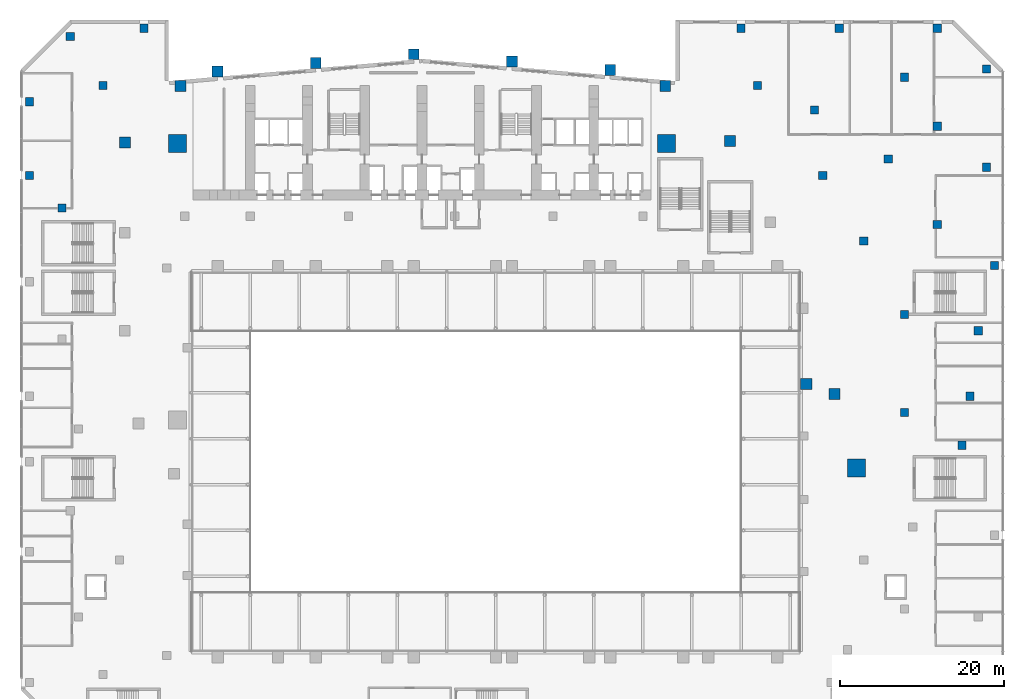
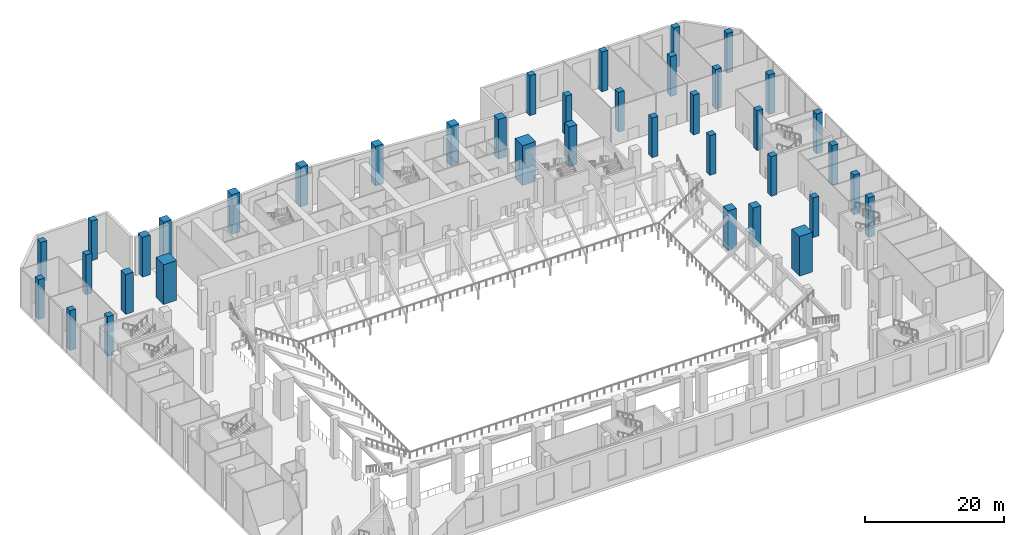
# One storey, part 8 of 41: 39 columns.
"""IFC4 building model written with IfcOpenShell, lengths in metres."""

from ifc_helpers import new_model, si_unit, direction, frame, origin, origin_2d, place, context, subcontext, project, spatial, rectangle, extrude, material, material_profile, profile_set, type_object, element, save


model = new_model("IFC4")

# Units and contexts
model_context = context("Model", 3, precision=1e-05, world=origin(), true_north=direction((0.0, 1.0)))
body_context = subcontext(model_context, "Body", "Model", "MODEL_VIEW")
ifc_project = project(units=[si_unit("LENGTHUNIT", "METRE"), si_unit("AREAUNIT", "SQUARE_METRE"), si_unit("VOLUMEUNIT", "CUBIC_METRE"), si_unit("PLANEANGLEUNIT", "RADIAN"), si_unit("MASSUNIT", "GRAM", prefix="KILO")], contexts=[model_context])

# Site, building, storey
site_placement = place(None, origin())
site = spatial("IfcSite", under=ifc_project, at=site_placement, CompositionType="ELEMENT")
building_placement = place(site_placement, origin())
building = spatial("IfcBuilding", under=site, at=building_placement, Name="Wharfspan Tower", CompositionType="ELEMENT")
storey_placement = place(building_placement, frame((0.0, 0.0, 8.0)))
storey = spatial("IfcBuildingStorey", under=building, at=storey_placement, Name="L01", CompositionType="ELEMENT", Elevation=8.0)

# Columns
ifc_material = material(Name="Concrete C60/75", Category="concrete")
ifc_material_profile_1 = material_profile(ifc_material, rectangle(XDim=1.0, YDim=1.0, at=origin_2d()))
ifc_profile_set_1 = profile_set([ifc_material_profile_1], Name="Concrete C60/75")
column_type_1 = type_object("IfcColumnType", Name="Concrete column 1000 square", PredefinedType="COLUMN", material=ifc_profile_set_1)
for number, where, z_axis, x_axis, name in (
    (1, (106.0, 50.0, 0.0), (0.0, 0.0, 1.0), (1.0, 0.0, 0.0), "Column D.1"),
    (2, (107.0, 26.0, 0.0), (0.0, 0.0, 1.0), (1.0, 0.0, 0.0), "Column D.3"),
    (3, (88.0, 55.0, 0.0), (0.0, 0.0, 1.0), (1.0, 0.0, 0.0), "Column D.6"),
    (4, (94.0, 39.0, 0.0), (0.0, 0.0, 1.0), (1.0, 0.0, 0.0), "Column D.8"),
    (5, (104.0, 10.0, 0.0), (0.0, 0.0, 1.0), (1.0, 0.0, 0.0), "Column D.9"),
    (6, (-6.0, 54.0, 0.0), (0.0, 0.0, 1.0), (1.0, 0.0, 0.0), "Column D.10"),
    (7, (96.0, 20.0, 0.0), (0.0, 0.0, 1.0), (1.0, 0.0, 0.0), "Column D.15"),
    (8, (-11.0, 37.0, 0.0), (0.0, 0.0, 1.0), (1.0, 0.0, 0.0), "Column D.16"),
    (9, (106.0, 38.0, 0.0), (0.0, 0.0, 1.0), (1.0, 0.0, 0.0), "Column D.17"),
    (10, (76.0, 55.0, 0.0), (0.0, 0.0, 1.0), (1.0, 0.0, 0.0), "Column D.18"),
    (11, (85.0, 45.0, 0.0), (0.0, 0.0, 1.0), (1.0, 0.0, 0.0), "Column D.22"),
    (12, (91.0, 29.0, 0.0), (0.0, 0.0, 1.0), (1.0, 0.0, 0.0), "Column D.25"),
    (13, (96.0, 49.0, 0.0), (0.0, 0.0, 1.0), (1.0, 0.0, 0.0), "Column D.27"),
    (14, (-11.0, 46.0, 0.0), (0.0, 0.0, 1.0), (1.0, 0.0, 0.0), "Column D.35"),
    (15, (103.0, 4.0, 0.0), (0.0, 0.0, 1.0), (1.0, 0.0, 0.0), "Column D.36"),
    (16, (100.0, 31.0, 0.0), (0.0, 0.0, 1.0), (1.0, 0.0, 0.0), "Column D.38"),
    (17, (3.0, 55.0, 0.0), (0.0, 0.0, 1.0), (1.0, 0.0, 0.0), "Column D.41"),
    (18, (86.0, 37.0, 0.0), (0.0, 0.0, 1.0), (1.0, 0.0, 0.0), "Column D.44"),
    (19, (96.0, 8.0, 0.0), (0.0, 0.0, 1.0), (1.0, 0.0, 0.0), "Column D.45"),
    (20, (105.0, 18.0, 0.0), (0.0, 0.0, 1.0), (1.0, 0.0, 0.0), "Column D.46"),
    (21, (78.0, 48.0, 0.0), (0.0, 0.0, 1.0), (1.0, 0.0, 0.0), "Column D.53"),
    (22, (-7.0, 33.0, 0.0), (0.0, 0.0, 1.0), (1.0, 0.0, 0.0), "Column D.55"),
    (23, (-2.0, 48.0, 0.0), (0.0, 0.0, 1.0), (1.0, 0.0, 0.0), "Column D.57"),
    (24, (100.0, 43.0, 0.0), (0.0, 0.0, 1.0), (1.0, 0.0, 0.0), "Column D.59"),
    (25, (100.0, 55.0, 0.0), (0.0, 0.0, 1.0), (1.0, 0.0, 0.0), "Column D.60"),
):
    element("IfcColumn", number, at=place(storey_placement, frame(where, z_axis=z_axis, x_axis=x_axis)), inside=storey, type_object=column_type_1, Name=name, PredefinedType="COLUMN", context=body_context, shape_type="SweptSolid", body=[
        extrude(rectangle(XDim=1.0, YDim=1.0, at=origin_2d()), origin(), (0.0, 0.0, 1.0), 7.0),
    ])
ifc_material_profile_2 = material_profile(ifc_material, rectangle(XDim=1.320068, YDim=1.320068, at=origin_2d()))
ifc_profile_set_2 = profile_set([ifc_material_profile_2], Name="Concrete C60/75")
column_type_2 = type_object("IfcColumnType", Name="Concrete column 1320 square", PredefinedType="COLUMN", material=ifc_profile_set_2)
for number, where, z_axis, x_axis, name in (
    (26, (87.44458, 10.268311, 0.0), (0.0, 0.0, 1.0), (1.0, 0.0, 0.0), "Column T.PE.1"),
    (27, (74.634277, 41.196289, 0.0), (0.0, 0.0, 1.0), (1.0, 0.0, 0.0), "Column T.PE.4"),
    (28, (66.747803, 47.915283, 0.0), (0.0, 0.0, 1.0), (1.0, 0.0, 0.0), "Column T.PNRE-V.1"),
    (29, (7.466553, 47.933594, 0.0), (0.0, 0.0, 1.0), (1.0, 0.0, 0.0), "Column T.PNRW-V.1"),
    (30, (0.684814, 41.03418, 0.0), (0.0, 0.0, 1.0), (1.0, 0.0, 0.0), "Column T.PNRW-H.1"),
    (31, (12.0, 49.709961, 0.0), (0.0, 0.0, 1.0), (1.0, 0.0, 0.0), "Column T.R.1"),
    (32, (24.0, 50.759766, 0.0), (0.0, 0.0, 1.0), (1.0, 0.0, 0.0), "Column T.R.2"),
    (33, (36.0, 51.80957, 0.0), (0.0, 0.0, 1.0), (1.0, 0.0, 0.0), "Column T.R.3"),
    (34, (48.0, 50.934814, 0.0), (0.0, 0.0, 1.0), (1.0, 0.0, 0.0), "Column T.R.4"),
    (35, (60.0, 49.884766, 0.0), (0.0, 0.0, 1.0), (1.0, 0.0, 0.0), "Column T.R.5"),
):
    element("IfcColumn", number, at=place(storey_placement, frame(where, z_axis=z_axis, x_axis=x_axis)), inside=storey, type_object=column_type_2, Name=name, PredefinedType="COLUMN", context=body_context, shape_type="SweptSolid", body=[
        extrude(rectangle(XDim=1.320068, YDim=1.320068, at=origin_2d()), origin(), (0.0, 0.0, 1.0), 7.0),
    ])
ifc_material_profile_3 = material_profile(ifc_material, rectangle(XDim=1.399902, YDim=1.399902, at=origin_2d()))
ifc_profile_set_3 = profile_set([ifc_material_profile_3], Name="Concrete C60/75")
column_type_3 = type_object("IfcColumnType", Name="Concrete column 1400 square", PredefinedType="COLUMN", material=ifc_profile_set_3)
column_placement = place(storey_placement, frame((84.0, 11.5, 0.0), z_axis=(0.0, 0.0, 1.0), x_axis=(1.0, 0.0, 0.0)))
element("IfcColumn", 36, at=column_placement, inside=storey, type_object=column_type_3, Name="Column T.I.1.7", PredefinedType="COLUMN", context=body_context, shape_type="SweptSolid", body=[
    extrude(rectangle(XDim=1.399902, YDim=1.399902, at=origin_2d()), origin(), (0.0, 0.0, 1.0), 7.0),
])
ifc_material_profile_4 = material_profile(ifc_material, rectangle(XDim=2.199951, YDim=2.199951, at=origin_2d()))
ifc_profile_set_4 = profile_set([ifc_material_profile_4], Name="Concrete C60/75")
column_type_4 = type_object("IfcColumnType", Name="Concrete column 2200 square", PredefinedType="COLUMN", material=ifc_profile_set_4)
for number, where, z_axis, x_axis, name in (
    (37, (7.100098, 40.899902, 0.0), (0.0, 0.0, 1.0), (1.0, 0.0, 0.0), "Column T.MC2"),
    (38, (66.899902, 40.899902, 0.0), (0.0, 0.0, 1.0), (1.0, 0.0, 0.0), "Column T.MC3"),
    (39, (90.096436, 1.199707, 0.0), (0.0, 0.0, 1.0), (1.0, 0.0, 0.0), "Column T.MC4"),
):
    element("IfcColumn", number, at=place(storey_placement, frame(where, z_axis=z_axis, x_axis=x_axis)), inside=storey, type_object=column_type_4, Name=name, PredefinedType="COLUMN", context=body_context, shape_type="SweptSolid", body=[
        extrude(rectangle(XDim=2.199951, YDim=2.199951, at=origin_2d()), origin(), (0.0, 0.0, 1.0), 7.0),
    ])

save(model, "model.ifc")
